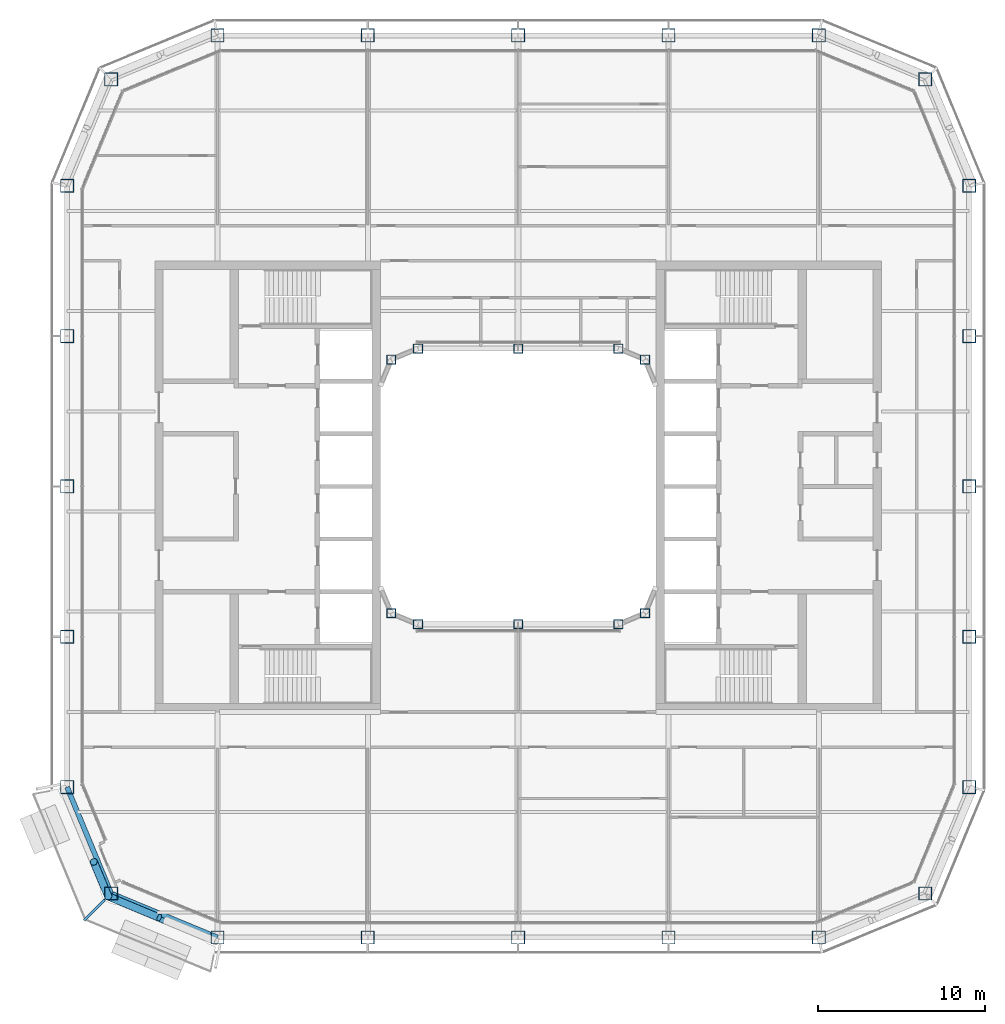
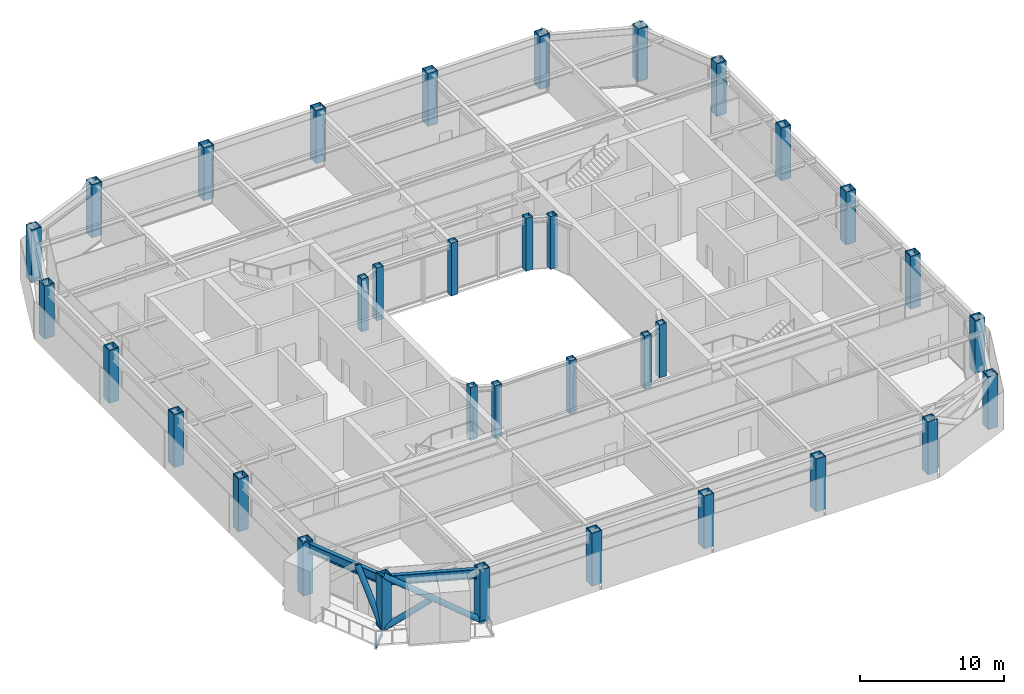
# One storey, part 1 of 23: 34 columns, 3 beams, 3 members.
"""IFC4 building model written with IfcOpenShell, lengths in metres."""

from ifc_helpers import new_model, si_unit, direction, frame, origin, origin_2d, place, context, subcontext, project, spatial, hollow_rectangle, hollow_circle, i_section, extrude, material, material_profile, profile_set, type_object, element, save


model = new_model("IFC4")

# Units and contexts
model_context = context("Model", 3, precision=1e-05, world=origin(), true_north=direction((0.0, 1.0)))
body_context = subcontext(model_context, "Body", "Model", "MODEL_VIEW")
ifc_project = project(units=[si_unit("LENGTHUNIT", "METRE"), si_unit("AREAUNIT", "SQUARE_METRE"), si_unit("VOLUMEUNIT", "CUBIC_METRE"), si_unit("PLANEANGLEUNIT", "RADIAN"), si_unit("MASSUNIT", "GRAM", prefix="KILO")], contexts=[model_context])

# Site, building, storey
site_placement = place(None, origin())
site = spatial("IfcSite", under=ifc_project, at=site_placement, CompositionType="ELEMENT")
building_placement = place(site_placement, origin())
building = spatial("IfcBuilding", under=site, at=building_placement, Name="Siwar Civic Tower", CompositionType="ELEMENT")
storey_placement = place(building_placement, frame((0.0, 0.0, 269.199951171875)))
storey = spatial("IfcBuildingStorey", under=building, at=storey_placement, Name="L58", CompositionType="ELEMENT", Elevation=269.199951171875)

# Columns
ifc_material_1 = material(Name="Steel S355", Category="steel")
ifc_material_profile_1 = material_profile(ifc_material_1, hollow_rectangle(XDim=0.800048828125, YDim=0.800048828125, WallThickness=0.044921875, at=origin_2d()), Name="BOX800x800x45")
ifc_profile_set_1 = profile_set([ifc_material_profile_1], Name="Steel S355")
column_type_1 = type_object("IfcColumnType", Name="STR-COL-BOX800x800x45", PredefinedType="COLUMN", material=ifc_profile_set_1)
for number, where, z_axis, x_axis, name in (
    (1, (-18.0, -27.0, 0.0), (0.0, 0.0, 1.0), (1.0, 0.0, 0.0), "L58/col/S-0"),
    (2, (-9.0, -27.0, 0.0), (0.0, 0.0, 1.0), (1.0, 0.0, 0.0), "L58/col/S-1"),
    (3, (0.0, -27.0, 0.0), (0.0, 0.0, 1.0), (1.0, 0.0, 0.0), "L58/col/S-2"),
    (4, (9.0, -27.0, 0.0), (0.0, 0.0, 1.0), (1.0, 0.0, 0.0), "L58/col/S-3"),
    (5, (18.0, -27.0, 0.0), (0.0, 0.0, 1.0), (1.0, 0.0, 0.0), "L58/col/SE1-0"),
    (6, (24.364013671875, -24.364013671875, 0.0), (0.0, 0.0, 1.0), (1.0, 0.0, 0.0), "L58/col/SE2-0"),
    (7, (27.0, -18.0, 0.0), (0.0, 0.0, 1.0), (1.0, 0.0, 0.0), "L58/col/E-0"),
    (8, (27.0, -9.0, 0.0), (0.0, 0.0, 1.0), (1.0, 0.0, 0.0), "L58/col/E-1"),
    (9, (27.0, 0.0, 0.0), (0.0, 0.0, 1.0), (1.0, 0.0, 0.0), "L58/col/E-2"),
    (10, (27.0, 9.0, 0.0), (0.0, 0.0, 1.0), (1.0, 0.0, 0.0), "L58/col/E-3"),
    (11, (27.0, 18.0, 0.0), (0.0, 0.0, 1.0), (1.0, 0.0, 0.0), "L58/col/NE1-0"),
    (12, (24.364013671875, 24.364013671875, 0.0), (0.0, 0.0, 1.0), (1.0, 0.0, 0.0), "L58/col/NE2-0"),
    (13, (18.0, 27.0, 0.0), (0.0, 0.0, 1.0), (1.0, 0.0, 0.0), "L58/col/N-0"),
    (14, (9.0, 27.0, 0.0), (0.0, 0.0, 1.0), (1.0, 0.0, 0.0), "L58/col/N-1"),
    (15, (0.0, 27.0, 0.0), (0.0, 0.0, 1.0), (1.0, 0.0, 0.0), "L58/col/N-2"),
    (16, (-9.0, 27.0, 0.0), (0.0, 0.0, 1.0), (1.0, 0.0, 0.0), "L58/col/N-3"),
    (17, (-18.0, 27.0, 0.0), (0.0, 0.0, 1.0), (1.0, 0.0, 0.0), "L58/col/NW1-0"),
    (18, (-24.364013671875, 24.364013671875, 0.0), (0.0, 0.0, 1.0), (1.0, 0.0, 0.0), "L58/col/NW2-0"),
    (19, (-27.0, 18.0, 0.0), (0.0, 0.0, 1.0), (1.0, 0.0, 0.0), "L58/col/W-0"),
    (20, (-27.0, 9.0, 0.0), (0.0, 0.0, 1.0), (1.0, 0.0, 0.0), "L58/col/W-1"),
    (21, (-27.0, 0.0, 0.0), (0.0, 0.0, 1.0), (1.0, 0.0, 0.0), "L58/col/W-2"),
    (22, (-27.0, -9.0, 0.0), (0.0, 0.0, 1.0), (1.0, 0.0, 0.0), "L58/col/W-3"),
    (23, (-27.0, -18.0, 0.0), (0.0, 0.0, 1.0), (1.0, 0.0, 0.0), "L58/col/SW1-0"),
    (24, (-24.364013671875, -24.364013671875, 0.0), (0.0, 0.0, 1.0), (1.0, 0.0, 0.0), "L58/col/SW2-0"),
):
    element("IfcColumn", number, at=place(storey_placement, frame(where, z_axis=z_axis, x_axis=x_axis)), inside=storey, type_object=column_type_1, Name=name, PredefinedType="COLUMN", context=body_context, shape_type="SweptSolid", body=[
        extrude(hollow_rectangle(XDim=0.800048828125, YDim=0.800048828125, WallThickness=0.044921875, at=origin_2d()), origin(), (0.0, 0.0, 1.0), 4.5),
    ])
ifc_material_2 = material(Name="Steel S355", Category="steel")
ifc_material_profile_2 = material_profile(ifc_material_2, hollow_rectangle(XDim=0.550048828125, YDim=0.550048828125, WallThickness=0.028076171875, at=origin_2d()), Name="BOX550x550x28")
ifc_profile_set_2 = profile_set([ifc_material_profile_2], Name="Steel S355")
column_type_2 = type_object("IfcColumnType", Name="STR-ICOL-BOX550x550x28", PredefinedType="COLUMN", material=ifc_profile_set_2)
for number, where, z_axis, x_axis, name in (
    (25, (-7.591064453125, -7.591064453125, 0.0), (0.0, 0.0, 1.0), (1.0, 0.0, 0.0), "L58/col/IS-0"),
    (26, (-6.0, -8.25, 0.0), (0.0, 0.0, 1.0), (1.0, 0.0, 0.0), "L58/col/IS-1"),
    (27, (0.0, -8.25, 0.0), (0.0, 0.0, 1.0), (1.0, 0.0, 0.0), "L58/col/IS-2"),
    (28, (6.0, -8.25, 0.0), (0.0, 0.0, 1.0), (1.0, 0.0, 0.0), "L58/col/IS-3"),
    (29, (7.591064453125, -7.591064453125, 0.0), (0.0, 0.0, 1.0), (1.0, 0.0, 0.0), "L58/col/IS-4"),
    (30, (-7.591064453125, 7.591064453125, 0.0), (0.0, 0.0, 1.0), (1.0, 0.0, 0.0), "L58/col/IN-0"),
    (31, (-6.0, 8.25, 0.0), (0.0, 0.0, 1.0), (1.0, 0.0, 0.0), "L58/col/IN-1"),
    (32, (0.0, 8.25, 0.0), (0.0, 0.0, 1.0), (1.0, 0.0, 0.0), "L58/col/IN-2"),
    (33, (6.0, 8.25, 0.0), (0.0, 0.0, 1.0), (1.0, 0.0, 0.0), "L58/col/IN-3"),
    (34, (7.591064453125, 7.591064453125, 0.0), (0.0, 0.0, 1.0), (1.0, 0.0, 0.0), "L58/col/IN-4"),
):
    element("IfcColumn", number, at=place(storey_placement, frame(where, z_axis=z_axis, x_axis=x_axis)), inside=storey, type_object=column_type_2, Name=name, PredefinedType="COLUMN", context=body_context, shape_type="SweptSolid", body=[
        extrude(hollow_rectangle(XDim=0.550048828125, YDim=0.550048828125, WallThickness=0.028076171875, at=origin_2d()), origin(), (0.0, 0.0, 1.0), 4.5),
    ])

# Beam
ifc_material_3 = material(Name="Steel S355", Category="steel")
ifc_material_profile_3 = material_profile(ifc_material_3, hollow_rectangle(XDim=0.14990234375, YDim=0.25, WallThickness=0.010009765625, at=origin_2d()), Name="RHS250x150x10")
ifc_profile_set_3 = profile_set([ifc_material_profile_3], Name="Steel S355")
beam_type_1 = type_object("IfcBeamType", Name="ENV-BALCONY ARM", PredefinedType="BEAM", material=ifc_profile_set_3)
beam_placement = place(storey_placement, frame((-24.728515625, -24.728515625, -0.27490234375), z_axis=(-0.707106781187, -0.707106781187, 0.0), x_axis=(0.707106781187, -0.707106781187, 0.0)))
element("IfcBeam", 35, at=beam_placement, inside=storey, type_object=beam_type_1, Name="Balcony cantilever beam SW 2", PredefinedType="BEAM", context=body_context, shape_type="SweptSolid", body=[
    extrude(hollow_rectangle(XDim=0.14990234375, YDim=0.25, WallThickness=0.010009765625, at=origin_2d()), origin(), (0.0, 0.0, 1.0), 1.75732421875),
])

# Members
ifc_material_4 = material(Name="Steel S355", Category="steel")
ifc_material_profile_4 = material_profile(ifc_material_4, hollow_circle(Radius=0.228515625, WallThickness=0.02001953125, at=origin_2d()), Name="CHS457x20")
ifc_profile_set_4 = profile_set([ifc_material_profile_4], Name="Steel S355")
member_type = type_object("IfcMemberType", Name="STR-BR-CHS457x20", PredefinedType="BRACE", material=ifc_profile_set_4)
member_1_placement = place(storey_placement, frame((-18.048828125, -27.2451171875, 0.0), z_axis=(-0.777554562952, 0.323905527954, 0.538975055633), x_axis=(-0.384538969033, -0.923108759191, 0.0)))
element("IfcMember", 36, at=member_1_placement, inside=storey, type_object=member_type, Name="L58/brc/CSW1-18-0-1", PredefinedType="BRACE", context=body_context, shape_type="SweptSolid", body=[
    extrude(hollow_circle(Radius=0.228515625, WallThickness=0.02001953125, at=origin_2d()), origin(), (0.0, 0.0, 1.0), 8.34912109375),
])
member_2_placement = place(storey_placement, frame((-24.540771484375, -24.540771484375, 0.0), z_axis=(0.777546448489, -0.323884455881, 0.538999424564), x_axis=(0.38452107079, 0.92311621485, 0.0)))
element("IfcMember", 37, at=member_2_placement, inside=storey, type_object=member_type, Name="L58/brc/CSW1-18-0-2", PredefinedType="BRACE", context=body_context, shape_type="SweptSolid", body=[
    extrude(hollow_circle(Radius=0.228515625, WallThickness=0.02001953125, at=origin_2d()), origin(), (0.0, 0.0, 1.0), 3.927978515625),
])
member_3_placement = place(storey_placement, frame((-24.540771484375, -24.540771484375, 0.0), z_axis=(-0.171426870802, 0.411570178484, 0.895110504993), x_axis=(-0.923125254544, -0.384499368559, 0.0)))
element("IfcMember", 38, at=member_3_placement, inside=storey, type_object=member_type, Name="L58/brc/CSW1-18-0-6", PredefinedType="BRACE", context=body_context, shape_type="SweptSolid", body=[
    extrude(hollow_circle(Radius=0.228515625, WallThickness=0.02001953125, at=origin_2d()), origin(), (0.0, 0.0, 1.0), 5.02734375),
])

# Beams
ifc_material_5 = material(Name="Steel S355", Category="steel")
ifc_material_profile_5 = material_profile(ifc_material_5, i_section(OverallWidth=0.300048828125, OverallDepth=0.800048828125, WebThickness=0.017578125, FlangeThickness=0.032958984375, FilletRadius=0.030029296875, at=origin_2d()), Name="HEB800")
ifc_profile_set_5 = profile_set([ifc_material_profile_5], Name="Steel S355")
beam_type_2 = type_object("IfcBeamType", Name="STR-SB-HEB800", PredefinedType="BEAM", material=ifc_profile_set_5)
for number, where, z_axis, x_axis, name in (
    (39, (-27.0, -18.0, 3.949951171875), (0.382674207535, -0.923883353507, 0.0), (0.923883353507, 0.382674207535, 0.0), "L58/bm/SSW1-0"),
    (40, (-24.364013671875, -24.364013671875, 3.949951171875), (0.923883353507, -0.382674207535, 0.0), (0.382674207535, 0.923883353507, 0.0), "L58/bm/SSW2-0"),
):
    element("IfcBeam", number, at=place(storey_placement, frame(where, z_axis=z_axis, x_axis=x_axis)), inside=storey, type_object=beam_type_2, Name=name, PredefinedType="BEAM", context=body_context, shape_type="SweptSolid", body=[
        extrude(i_section(OverallWidth=0.300048828125, OverallDepth=0.800048828125, WebThickness=0.017578125, FlangeThickness=0.032958984375, FilletRadius=0.030029296875, at=origin_2d()), origin(), (0.0, 0.0, 1.0), 6.888427734375),
    ])

save(model, "model.ifc")
